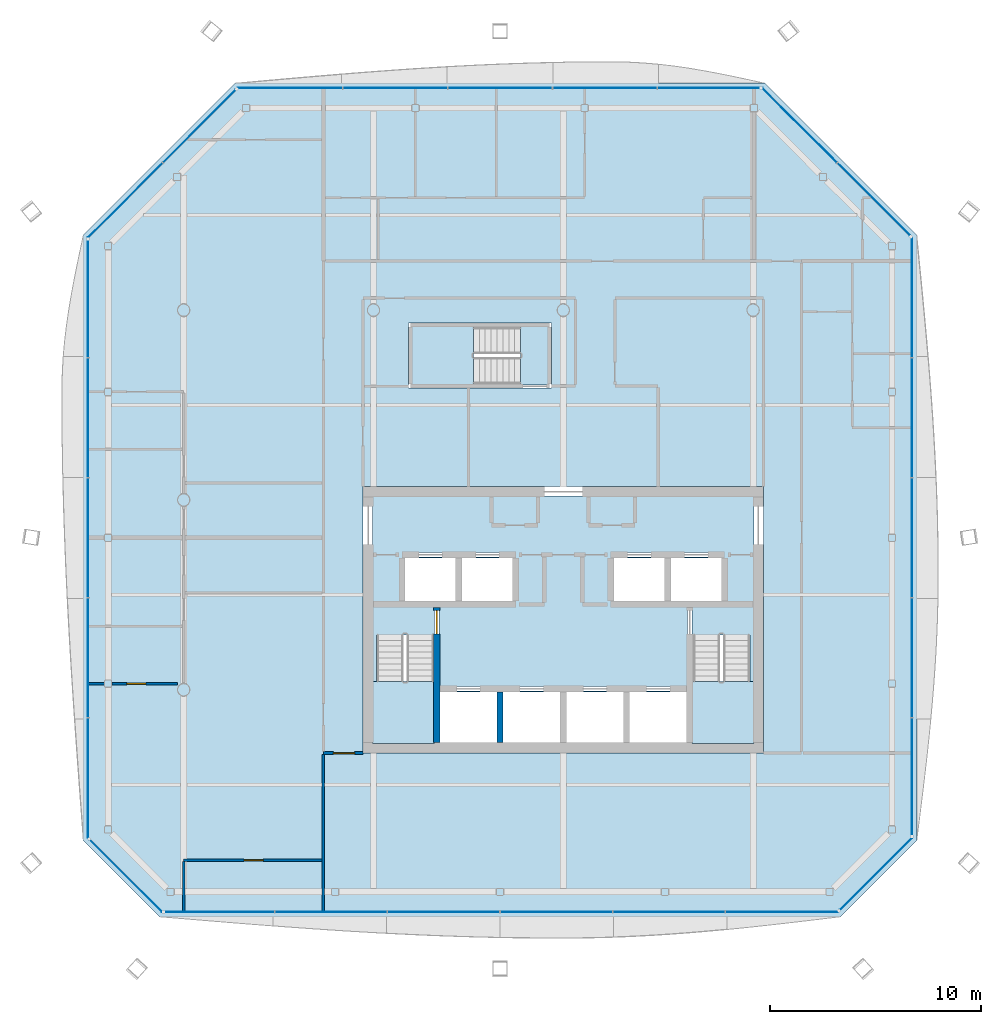
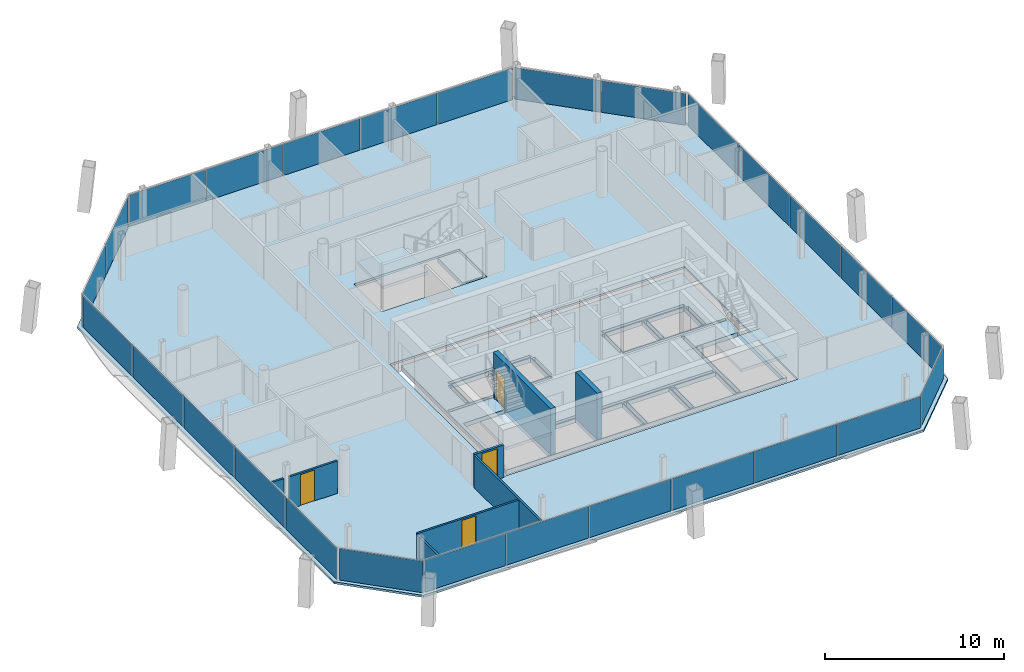
# One storey, part 11 of 19: 27 plates, 8 walls, 6 slabs, 4 doors, 4 openings, 11 elements without a shape of their own.
"""IFC4 building model written with IfcOpenShell, lengths in metres."""

import ifcopenshell
import ifcopenshell.guid

model = None  # the IFC model being written
_history = None  # IfcOwnerHistory: only IFC2X3 demands one
_inside = {}  # id of a spatial element -> (the spatial element, [elements in it])
_under = {}  # id of a project, library or spatial element -> (it, [spatial elements below it])
_declared = {}  # id of a project -> (the project, [libraries it declares])
_typed = {}  # id of a type object -> (the type object, [elements of that type])
_made_of = {}  # id of a material, layer set ... -> (it, [elements and type objects made of it])


def new_model(schema):
    """Start an empty IFC model of exactly this schema.

    Asked for "IFC4X3", IfcOpenShell would pick the latest addendum, in which some entities
    have other attributes; the version numbers below select the first issue.
    IFC2X3 requires an IfcOwnerHistory on every rooted entity: one is made here for all.
    """
    global model, _history
    if schema == "IFC4X3":
        model = ifcopenshell.file(schema_version=(4, 3, 0, 0))
    else:
        model = ifcopenshell.file(schema=schema)
    _inside.clear()
    _under.clear()
    _declared.clear()
    _typed.clear()
    _made_of.clear()
    _history = None
    if model.schema == "IFC2X3":
        org = make("IfcOrganization", Name="unknown")
        user = make(
            "IfcPersonAndOrganization",
            ThePerson=make("IfcPerson", FamilyName="unknown"),
            TheOrganization=org,
        )
        app = make(
            "IfcApplication",
            ApplicationDeveloper=org,
            Version="unknown",
            ApplicationFullName="unknown",
            ApplicationIdentifier="unknown",
        )
        _history = make(
            "IfcOwnerHistory",
            OwningUser=user,
            OwningApplication=app,
            ChangeAction="ADDED",
            CreationDate=0,
        )
    return model


def make(cls, **values):
    """One entity of the class cls with the attributes given. An attribute that is None is left unset."""
    return model.create_entity(
        cls, **{name: value for name, value in values.items() if value is not None}
    )


def rooted(cls, **values):
    """An entity with a GlobalId (a new one), such as an element, a storey or a relation."""
    return make(cls, GlobalId=ifcopenshell.guid.new(), OwnerHistory=_history, **values)


def si_unit(unit_type, name, prefix=None):
    """IfcSIUnit, for example si_unit("LENGTHUNIT", "METRE", prefix="MILLI")."""
    return make("IfcSIUnit", UnitType=unit_type, Prefix=prefix, Name=name)


def assignment(units):
    """IfcUnitAssignment: the units of a project."""
    return None if units is None else make("IfcUnitAssignment", Units=units)


def point(xyz):
    """IfcCartesianPoint."""
    return None if xyz is None else make("IfcCartesianPoint", Coordinates=xyz)


def direction(xyz):
    """IfcDirection."""
    return None if xyz is None else make("IfcDirection", DirectionRatios=xyz)


def frame(location, z_axis=None, x_axis=None):
    """IfcAxis2Placement3D, a coordinate frame: its origin and axes. An axis left out is left unset."""
    return make(
        "IfcAxis2Placement3D",
        Location=point(location),
        Axis=direction(z_axis),
        RefDirection=direction(x_axis),
    )


def frame_2d(location, x_axis=None):
    """IfcAxis2Placement2D, a coordinate frame in the plane: its origin and x axis."""
    return make(
        "IfcAxis2Placement2D", Location=point(location), RefDirection=direction(x_axis)
    )


def origin():
    """The frame at (0, 0, 0) with its axes left unset."""
    return frame((0.0, 0.0, 0.0))


def origin_2d():
    """The frame at (0, 0) in the plane with its x axis left unset."""
    return frame_2d((0.0, 0.0))


def place(relative_to, where):
    """IfcLocalPlacement: puts the frame where relative to a parent placement (None: the world)."""
    return make(
        "IfcLocalPlacement", PlacementRelTo=relative_to, RelativePlacement=where
    )


def context(
    kind, dimensions, precision=None, world=None, true_north=None, identifier=None
):
    """IfcGeometricRepresentationContext, for example the 3D "Model" context."""
    return make(
        "IfcGeometricRepresentationContext",
        ContextIdentifier=identifier,
        ContextType=kind,
        CoordinateSpaceDimension=dimensions,
        Precision=precision,
        WorldCoordinateSystem=world,
        TrueNorth=true_north,
    )


def subcontext(parent, identifier, kind, view, scale=None):
    """IfcGeometricRepresentationSubContext, for example "Body" below "Model"."""
    return make(
        "IfcGeometricRepresentationSubContext",
        ContextIdentifier=identifier,
        ContextType=kind,
        ParentContext=parent,
        TargetScale=scale,
        TargetView=view,
    )


def project(units=None, contexts=None):
    """IfcProject with its units and contexts."""
    return rooted(
        "IfcProject",
        Name="project",
        RepresentationContexts=contexts,
        UnitsInContext=assignment(units),
    )


def spatial(cls, under=None, at=None, **own):
    """A site, building, storey or space (cls), placed at a placement, below another one or the project."""
    s = rooted(cls, ObjectPlacement=at, **own)
    if under is not None:
        _under.setdefault(under.id(), (under, []))[1].append(s)
    return s


def polyline(points):
    """IfcPolyline through the points."""
    return make("IfcPolyline", Points=[point(p) for p in points])


def profile(cls, at=None, kind="AREA", **sizes):
    """A parametric profile (cls). Its sizes go by their IFC names, for example OverallWidth=200.0."""
    return make(cls, ProfileType=kind, Position=at, **sizes)


def rectangle(**sizes):
    """IfcRectangleProfileDef."""
    return profile("IfcRectangleProfileDef", **sizes)


def outline(outer, holes=None, kind="AREA"):
    """IfcArbitraryClosedProfileDef: a profile drawn as a closed curve; with holes, ...WithVoids."""
    if holes is None:
        return make("IfcArbitraryClosedProfileDef", ProfileType=kind, OuterCurve=outer)
    return make(
        "IfcArbitraryProfileDefWithVoids",
        ProfileType=kind,
        OuterCurve=outer,
        InnerCurves=holes,
    )


def extrude(swept, where, along, depth):
    """IfcExtrudedAreaSolid: the profile swept, set in the frame where, extruded along a direction by depth."""
    return make(
        "IfcExtrudedAreaSolid",
        SweptArea=swept,
        Position=where,
        ExtrudedDirection=direction(along),
        Depth=depth,
    )


def shape(context_of_items, identifier, shape_type, items):
    """IfcShapeRepresentation: the items that make up one representation, for example the "Body"."""
    return make(
        "IfcShapeRepresentation",
        ContextOfItems=context_of_items,
        RepresentationIdentifier=identifier,
        RepresentationType=shape_type,
        Items=items,
    )


def material(Name=None, Category=None):
    """IfcMaterial."""
    return make("IfcMaterial", Name=Name, Category=Category)


def layer(
    of_material, thickness, ventilated=None, Name=None, Category=None, Priority=None
):
    """IfcMaterialLayer: one layer of a wall or slab, of a material (None: an air gap)."""
    return make(
        "IfcMaterialLayer",
        Material=of_material,
        LayerThickness=thickness,
        IsVentilated=ventilated,
        Name=Name,
        Category=Category,
        Priority=Priority,
    )


def layer_set(layers, Name=None):
    """IfcMaterialLayerSet."""
    return make("IfcMaterialLayerSet", MaterialLayers=layers, LayerSetName=Name)


def made_of(thing, what):
    """Note that an element or type object is made of a material, layer set ...; save() writes the relation."""
    if what is not None:
        _made_of.setdefault(what.id(), (what, []))[1].append(thing)
    return thing


def type_object(cls, material=None, **own):
    """A type object (cls), such as IfcWallType, which elements share."""
    return made_of(rooted(cls, **own), material)


def element(
    cls,
    number,
    at=None,
    inside=None,
    cuts=None,
    type_object=None,
    material=None,
    context=None,
    identifier="Body",
    shape_type=None,
    held_by="IfcProductDefinitionShape",
    body=None,
    shapes=None,
    **own,
):
    """One element of the class cls, such as IfcWall. Its Tag is "e" and its number.

    at: its placement. inside: the storey or other place that contains it. cuts: it is an
    opening in that element (IfcRelVoidsElement). A single representation is given by context,
    identifier, shape_type and body (its items); several are given by shapes. held_by: the class
    of the entity that holds the representations. save() writes the other relations.
    """
    e = rooted(cls, Tag="e%d" % number, ObjectPlacement=at, **own)
    if body is not None:
        shapes = [shape(context, identifier, shape_type, body)]
    if shapes is not None:
        e.Representation = make(held_by, Representations=shapes)
    if inside is not None:
        _inside.setdefault(inside.id(), (inside, []))[1].append(e)
    if cuts is not None:
        rooted(
            "IfcRelVoidsElement", RelatingBuildingElement=cuts, RelatedOpeningElement=e
        )
    if type_object is not None:
        _typed.setdefault(type_object.id(), (type_object, []))[1].append(e)
    return made_of(e, material)


def fill(opening, filler):
    """IfcRelFillsElement: the door or window that sits in an opening."""
    return rooted(
        "IfcRelFillsElement",
        RelatingOpeningElement=opening,
        RelatedBuildingElement=filler,
    )


def aggregate(whole, parts):
    """IfcRelAggregates: a whole, such as a stair, and the parts it consists of."""
    return rooted("IfcRelAggregates", RelatingObject=whole, RelatedObjects=parts)


def save(model, path):
    """Write the relations noted so far, then the file.

    IfcRelAggregates (storeys below a building ...), IfcRelContainedInSpatialStructure (elements
    in a storey), IfcRelDefinesByType, IfcRelAssociatesMaterial and IfcRelDeclares: one each for
    every whole, place, type object, material and project.
    """
    for whole, parts in _under.values():
        aggregate(whole, parts)
    for where, things in _inside.values():
        rooted(
            "IfcRelContainedInSpatialStructure",
            RelatedElements=things,
            RelatingStructure=where,
        )
    for kind, things in _typed.values():
        rooted("IfcRelDefinesByType", RelatedObjects=things, RelatingType=kind)
    for what, things in _made_of.values():
        rooted("IfcRelAssociatesMaterial", RelatedObjects=things, RelatingMaterial=what)
    for by, libraries in _declared.values():
        rooted("IfcRelDeclares", RelatingContext=by, RelatedDefinitions=libraries)
    model.write(path)


model = new_model("IFC4")

# Units and contexts
model_context = context("Model", 3, precision=1e-05, world=origin(), true_north=direction((0.0, 1.0)))
body_context = subcontext(model_context, "Body", "Model", "MODEL_VIEW")
ifc_project = project(units=[si_unit("LENGTHUNIT", "METRE"), si_unit("AREAUNIT", "SQUARE_METRE"), si_unit("VOLUMEUNIT", "CUBIC_METRE"), si_unit("PLANEANGLEUNIT", "RADIAN"), si_unit("MASSUNIT", "GRAM", prefix="KILO")], contexts=[model_context])

# Site, building, storey
site_placement = place(None, origin())
site = spatial("IfcSite", under=ifc_project, at=site_placement, CompositionType="ELEMENT")
building_placement = place(site_placement, origin())
building = spatial("IfcBuilding", under=site, at=building_placement, Name="Tskaro Facet Tower", CompositionType="ELEMENT")
storey_placement = place(building_placement, frame((0.0, 0.0, 206.85009765625)))
storey = spatial("IfcBuildingStorey", under=building, at=storey_placement, Name="L53", CompositionType="ELEMENT", Elevation=206.85009765625)

# Slab
ifc_material_1 = material(Name="Concrete C30/37", Category="concrete")
ifc_layer_1 = layer(ifc_material_1, 0.139892578125, Name="Concrete C30/37")
ifc_layer_set_1 = layer_set([ifc_layer_1], Name="Concrete C30/37")
slab_type_1 = type_object("IfcSlabType", Name="Composite deck floor slab", PredefinedType="FLOOR", material=ifc_layer_set_1)
slab_1_placement = place(storey_placement, frame((0.0, 0.0, -0.14013671875)))
element("IfcSlab", 1, at=slab_1_placement, inside=storey, type_object=slab_type_1, Name="Floor slab FS3 L53", PredefinedType="FLOOR", context=body_context, shape_type="SweptSolid", body=[
    extrude(outline(polyline([(-19.1298828125, -19.782958984375), (13.1298828125, -19.782958984375), (16.782958984375, -16.1298828125), (16.782958984375, 12.54296875), (9.54296875, 19.782958984375), (-15.54296875, 19.782958984375), (-22.782958984375, 12.54296875), (-22.782958984375, -16.1298828125), (-19.1298828125, -19.782958984375)]), holes=[polyline([(-9.5, -12.0), (9.5, -12.0), (9.5, 0.64990234375), (-9.5, 0.64990234375), (-9.5, -12.0)]), polyline([(-7.35009765625, 5.300048828125), (-0.550048828125, 5.300048828125), (-0.550048828125, 8.39990234375), (-7.35009765625, 8.39990234375), (-7.35009765625, 5.300048828125)])]), origin(), (0.0, 0.0, 1.0), 0.14013671875),
])

# Curtain wall, plates
ifc_material_2 = material(Name="Bronze anodised aluminium 6063-T6", Category="aluminium")
curtain_wall_type = type_object("IfcCurtainWallType", Name="Bronze residence curtain wall (FW3)", PredefinedType="NOTDEFINED", material=ifc_material_2)
curtain_wall_1_placement = place(storey_placement, origin())
curtain_wall_1 = element("IfcCurtainWall", 2, at=curtain_wall_1_placement, inside=storey, type_object=curtain_wall_type, Name="FW3 south facet L53", PredefinedType="NOTDEFINED")
ifc_material_3 = material(Name="Bronze low-iron glass", Category="glass")
ifc_layer_2 = layer(ifc_material_3, 0.028076171875, Name="Bronze low-iron glass")
ifc_layer_set_2 = layer_set([ifc_layer_2], Name="Bronze low-iron glass")
plate_type = type_object("IfcPlateType", Name="FW3 bronze-tinted unit glazing 28", PredefinedType="CURTAIN_PANEL", material=ifc_layer_set_2)
plate_1_placement = place(storey_placement, frame((-16.297607421875, -19.532958984375, 0.0), z_axis=(0.0, 0.0, 1.0), x_axis=(1.0, 0.0, 0.0)))
plate_1 = element("IfcPlate", 3, at=plate_1_placement, type_object=plate_type, Name="FW3 south glazing 1.1", PredefinedType="CURTAIN_PANEL", context=body_context, shape_type="SweptSolid", body=[
    extrude(rectangle(XDim=5.177001953125, YDim=0.028076171875, at=origin_2d()), origin(), (0.0, 0.0, 1.0), 2.14990234375),
])
plate_2_placement = place(storey_placement, frame((-11.012939453125, -19.532958984375, 0.0), z_axis=(0.0, 0.0, 1.0), x_axis=(1.0, 0.0, 0.0)))
plate_2 = element("IfcPlate", 4, at=plate_2_placement, type_object=plate_type, Name="FW3 south glazing 2.1", PredefinedType="CURTAIN_PANEL", context=body_context, shape_type="SweptSolid", body=[
    extrude(rectangle(XDim=5.2919921875, YDim=0.028076171875, at=origin_2d()), origin(), (0.0, 0.0, 1.0), 2.14990234375),
])
plate_3_placement = place(storey_placement, frame((-5.6708984375, -19.532958984375, 0.0), z_axis=(0.0, 0.0, 1.0), x_axis=(1.0, 0.0, 0.0)))
plate_3 = element("IfcPlate", 5, at=plate_3_placement, type_object=plate_type, Name="FW3 south glazing 3.1", PredefinedType="CURTAIN_PANEL", context=body_context, shape_type="SweptSolid", body=[
    extrude(rectangle(XDim=5.2919921875, YDim=0.028076171875, at=origin_2d()), origin(), (0.0, 0.0, 1.0), 2.14990234375),
])
plate_4_placement = place(storey_placement, frame((-0.3291015625, -19.532958984375, 0.0), z_axis=(0.0, 0.0, 1.0), x_axis=(1.0, 0.0, 0.0)))
plate_4 = element("IfcPlate", 6, at=plate_4_placement, type_object=plate_type, Name="FW3 south glazing 4.1", PredefinedType="CURTAIN_PANEL", context=body_context, shape_type="SweptSolid", body=[
    extrude(rectangle(XDim=5.2919921875, YDim=0.028076171875, at=origin_2d()), origin(), (0.0, 0.0, 1.0), 2.14990234375),
])
plate_5_placement = place(storey_placement, frame((5.012939453125, -19.532958984375, 0.0), z_axis=(0.0, 0.0, 1.0), x_axis=(1.0, 0.0, 0.0)))
plate_5 = element("IfcPlate", 7, at=plate_5_placement, type_object=plate_type, Name="FW3 south glazing 5.1", PredefinedType="CURTAIN_PANEL", context=body_context, shape_type="SweptSolid", body=[
    extrude(rectangle(XDim=5.2919921875, YDim=0.028076171875, at=origin_2d()), origin(), (0.0, 0.0, 1.0), 2.14990234375),
])
plate_6_placement = place(storey_placement, frame((10.367431640625, -19.532958984375, 0.0), z_axis=(0.0, 0.0, 1.0), x_axis=(1.0, 0.0, 0.0)))
plate_6 = element("IfcPlate", 8, at=plate_6_placement, type_object=plate_type, Name="FW3 south glazing 6.1", PredefinedType="CURTAIN_PANEL", context=body_context, shape_type="SweptSolid", body=[
    extrude(rectangle(XDim=5.31689453125, YDim=0.028076171875, at=origin_2d()), origin(), (0.0, 0.0, 1.0), 2.14990234375),
])
aggregate(curtain_wall_1, [plate_1, plate_2, plate_3, plate_4, plate_5, plate_6])

# Curtain wall, plate
curtain_wall_2_placement = place(storey_placement, origin())
curtain_wall_2 = element("IfcCurtainWall", 9, at=curtain_wall_2_placement, inside=storey, type_object=curtain_wall_type, Name="FW3 south-east facet L53", PredefinedType="NOTDEFINED")
plate_7_placement = place(storey_placement, frame((14.8291015625, -17.72998046875, 0.0), z_axis=(0.0, 0.0, 1.0), x_axis=(0.707106781187, 0.707106781187, 0.0)))
plate_7 = element("IfcPlate", 10, at=plate_7_placement, type_object=plate_type, Name="FW3 south-east glazing 1.1", PredefinedType="CURTAIN_PANEL", context=body_context, shape_type="SweptSolid", body=[
    extrude(rectangle(XDim=4.819580078125, YDim=0.028076171875, at=origin_2d()), origin(), (0.0, 0.0, 1.0), 2.14990234375),
])
aggregate(curtain_wall_2, [plate_7])

# Curtain wall, plates
curtain_wall_3_placement = place(storey_placement, origin())
curtain_wall_3 = element("IfcCurtainWall", 11, at=curtain_wall_3_placement, inside=storey, type_object=curtain_wall_type, Name="FW3 east facet L53", PredefinedType="NOTDEFINED")
plate_8_placement = place(storey_placement, frame((16.532958984375, -13.1220703125, 0.0), z_axis=(0.0, 0.0, 1.0), x_axis=(0.0, 1.0, 0.0)))
plate_8 = element("IfcPlate", 12, at=plate_8_placement, type_object=plate_type, Name="FW3 east glazing 1.1", PredefinedType="CURTAIN_PANEL", context=body_context, shape_type="SweptSolid", body=[
    extrude(rectangle(XDim=5.528076171875, YDim=0.028076171875, at=origin_2d()), origin(), (0.0, 0.0, 1.0), 2.14990234375),
])
plate_9_placement = place(storey_placement, frame((16.532958984375, -7.486572265625, 0.0), z_axis=(0.0, 0.0, 1.0), x_axis=(0.0, 1.0, 0.0)))
plate_9 = element("IfcPlate", 13, at=plate_9_placement, type_object=plate_type, Name="FW3 east glazing 2.1", PredefinedType="CURTAIN_PANEL", context=body_context, shape_type="SweptSolid", body=[
    extrude(rectangle(XDim=5.64306640625, YDim=0.028076171875, at=origin_2d()), origin(), (0.0, 0.0, 1.0), 2.14990234375),
])
plate_10_placement = place(storey_placement, frame((16.532958984375, -1.79345703125, 0.0), z_axis=(0.0, 0.0, 1.0), x_axis=(0.0, 1.0, 0.0)))
plate_10 = element("IfcPlate", 14, at=plate_10_placement, type_object=plate_type, Name="FW3 east glazing 3.1", PredefinedType="CURTAIN_PANEL", context=body_context, shape_type="SweptSolid", body=[
    extrude(rectangle(XDim=5.64306640625, YDim=0.028076171875, at=origin_2d()), origin(), (0.0, 0.0, 1.0), 2.14990234375),
])
plate_11_placement = place(storey_placement, frame((16.532958984375, 3.8994140625, 0.0), z_axis=(0.0, 0.0, 1.0), x_axis=(0.0, 1.0, 0.0)))
plate_11 = element("IfcPlate", 15, at=plate_11_placement, type_object=plate_type, Name="FW3 east glazing 4.1", PredefinedType="CURTAIN_PANEL", context=body_context, shape_type="SweptSolid", body=[
    extrude(rectangle(XDim=5.64306640625, YDim=0.028076171875, at=origin_2d()), origin(), (0.0, 0.0, 1.0), 2.14990234375),
])
plate_12_placement = place(storey_placement, frame((16.532958984375, 9.60498046875, 0.0), z_axis=(0.0, 0.0, 1.0), x_axis=(0.0, 1.0, 0.0)))
plate_12 = element("IfcPlate", 16, at=plate_12_placement, type_object=plate_type, Name="FW3 east glazing 5.1", PredefinedType="CURTAIN_PANEL", context=body_context, shape_type="SweptSolid", body=[
    extrude(rectangle(XDim=5.66796875, YDim=0.028076171875, at=origin_2d()), origin(), (0.0, 0.0, 1.0), 2.14990234375),
])
aggregate(curtain_wall_3, [plate_8, plate_9, plate_10, plate_11, plate_12])

curtain_wall_4_placement = place(storey_placement, origin())
curtain_wall_4 = element("IfcCurtainWall", 17, at=curtain_wall_4_placement, inside=storey, type_object=curtain_wall_type, Name="FW3 north-east facet L53", PredefinedType="NOTDEFINED")
plate_13_placement = place(storey_placement, frame((14.71875, 14.253173828125, 0.0), z_axis=(0.0, 0.0, 1.0), x_axis=(-0.707106781187, 0.707106781187, 0.0)))
plate_13 = element("IfcPlate", 18, at=plate_13_placement, type_object=plate_type, Name="FW3 north-east glazing 1.1", PredefinedType="CURTAIN_PANEL", context=body_context, shape_type="SweptSolid", body=[
    extrude(rectangle(XDim=4.851318359375, YDim=0.028076171875, at=origin_2d()), origin(), (0.0, 0.0, 1.0), 2.14990234375),
])
plate_14_placement = place(storey_placement, frame((11.20361328125, 17.768310546875, 0.0), z_axis=(0.0, 0.0, 1.0), x_axis=(-0.707106781187, 0.707106781187, 0.0)))
plate_14 = element("IfcPlate", 19, at=plate_14_placement, type_object=plate_type, Name="FW3 north-east glazing 2.1", PredefinedType="CURTAIN_PANEL", context=body_context, shape_type="SweptSolid", body=[
    extrude(rectangle(XDim=4.9912109375, YDim=0.028076171875, at=origin_2d()), origin(), (0.0, 0.0, 1.0), 2.14990234375),
])
aggregate(curtain_wall_4, [plate_13, plate_14])

curtain_wall_5_placement = place(storey_placement, origin())
curtain_wall_5 = element("IfcCurtainWall", 20, at=curtain_wall_5_placement, inside=storey, type_object=curtain_wall_type, Name="FW3 north facet L53", PredefinedType="NOTDEFINED")
plate_15_placement = place(storey_placement, frame((6.893798828125, 19.532958984375, 0.0), z_axis=(0.0, 0.0, 1.0), x_axis=(-1.0, 0.0, 0.0)))
plate_15 = element("IfcPlate", 21, at=plate_15_placement, type_object=plate_type, Name="FW3 north glazing 1.1", PredefinedType="CURTAIN_PANEL", context=body_context, shape_type="SweptSolid", body=[
    extrude(rectangle(XDim=4.810546875, YDim=0.028076171875, at=origin_2d()), origin(), (0.0, 0.0, 1.0), 2.14990234375),
])
plate_16_placement = place(storey_placement, frame((1.9755859375, 19.532958984375, 0.0), z_axis=(0.0, 0.0, 1.0), x_axis=(-1.0, 0.0, 0.0)))
plate_16 = element("IfcPlate", 22, at=plate_16_placement, type_object=plate_type, Name="FW3 north glazing 2.1", PredefinedType="CURTAIN_PANEL", context=body_context, shape_type="SweptSolid", body=[
    extrude(rectangle(XDim=4.925537109375, YDim=0.028076171875, at=origin_2d()), origin(), (0.0, 0.0, 1.0), 2.14990234375),
])
plate_17_placement = place(storey_placement, frame((-3.0, 19.532958984375, 0.0), z_axis=(0.0, 0.0, 1.0), x_axis=(-1.0, 0.0, 0.0)))
plate_17 = element("IfcPlate", 23, at=plate_17_placement, type_object=plate_type, Name="FW3 north glazing 3.1", PredefinedType="CURTAIN_PANEL", context=body_context, shape_type="SweptSolid", body=[
    extrude(rectangle(XDim=4.925537109375, YDim=0.028076171875, at=origin_2d()), origin(), (0.0, 0.0, 1.0), 2.14990234375),
])
plate_18_placement = place(storey_placement, frame((-7.9755859375, 19.532958984375, 0.0), z_axis=(0.0, 0.0, 1.0), x_axis=(-1.0, 0.0, 0.0)))
plate_18 = element("IfcPlate", 24, at=plate_18_placement, type_object=plate_type, Name="FW3 north glazing 4.1", PredefinedType="CURTAIN_PANEL", context=body_context, shape_type="SweptSolid", body=[
    extrude(rectangle(XDim=4.925537109375, YDim=0.028076171875, at=origin_2d()), origin(), (0.0, 0.0, 1.0), 2.14990234375),
])
plate_19_placement = place(storey_placement, frame((-12.963623046875, 19.532958984375, 0.0), z_axis=(0.0, 0.0, 1.0), x_axis=(-1.0, 0.0, 0.0)))
plate_19 = element("IfcPlate", 25, at=plate_19_placement, type_object=plate_type, Name="FW3 north glazing 5.1", PredefinedType="CURTAIN_PANEL", context=body_context, shape_type="SweptSolid", body=[
    extrude(rectangle(XDim=4.95068359375, YDim=0.028076171875, at=origin_2d()), origin(), (0.0, 0.0, 1.0), 2.14990234375),
])
aggregate(curtain_wall_5, [plate_15, plate_16, plate_17, plate_18, plate_19])

curtain_wall_6_placement = place(storey_placement, origin())
curtain_wall_6 = element("IfcCurtainWall", 26, at=curtain_wall_6_placement, inside=storey, type_object=curtain_wall_type, Name="FW3 north-west facet L53", PredefinedType="NOTDEFINED")
plate_20_placement = place(storey_placement, frame((-17.253173828125, 17.71875, 0.0), z_axis=(0.0, 0.0, 1.0), x_axis=(-0.707106781187, -0.707106781187, 0.0)))
plate_20 = element("IfcPlate", 27, at=plate_20_placement, type_object=plate_type, Name="FW3 north-west glazing 1.1", PredefinedType="CURTAIN_PANEL", context=body_context, shape_type="SweptSolid", body=[
    extrude(rectangle(XDim=4.851318359375, YDim=0.028076171875, at=origin_2d()), origin(), (0.0, 0.0, 1.0), 2.14990234375),
])
plate_21_placement = place(storey_placement, frame((-20.768310546875, 14.20361328125, 0.0), z_axis=(0.0, 0.0, 1.0), x_axis=(-0.707106781187, -0.707106781187, 0.0)))
plate_21 = element("IfcPlate", 28, at=plate_21_placement, type_object=plate_type, Name="FW3 north-west glazing 2.1", PredefinedType="CURTAIN_PANEL", context=body_context, shape_type="SweptSolid", body=[
    extrude(rectangle(XDim=4.9912109375, YDim=0.028076171875, at=origin_2d()), origin(), (0.0, 0.0, 1.0), 2.14990234375),
])
aggregate(curtain_wall_6, [plate_20, plate_21])

curtain_wall_7_placement = place(storey_placement, origin())
curtain_wall_7 = element("IfcCurtainWall", 29, at=curtain_wall_7_placement, inside=storey, type_object=curtain_wall_type, Name="FW3 west facet L53", PredefinedType="NOTDEFINED")
plate_22_placement = place(storey_placement, frame((-22.532958984375, 9.534912109375, 0.0), z_axis=(0.0, 0.0, 1.0), x_axis=(0.0, -1.0, 0.0)))
plate_22 = element("IfcPlate", 30, at=plate_22_placement, type_object=plate_type, Name="FW3 west glazing 1.1", PredefinedType="CURTAIN_PANEL", context=body_context, shape_type="SweptSolid", body=[
    extrude(rectangle(XDim=5.528076171875, YDim=0.028076171875, at=origin_2d()), origin(), (0.0, 0.0, 1.0), 2.14990234375),
])
plate_23_placement = place(storey_placement, frame((-22.532958984375, 3.8994140625, 0.0), z_axis=(0.0, 0.0, 1.0), x_axis=(0.0, -1.0, 0.0)))
plate_23 = element("IfcPlate", 31, at=plate_23_placement, type_object=plate_type, Name="FW3 west glazing 2.1", PredefinedType="CURTAIN_PANEL", context=body_context, shape_type="SweptSolid", body=[
    extrude(rectangle(XDim=5.64306640625, YDim=0.028076171875, at=origin_2d()), origin(), (0.0, 0.0, 1.0), 2.14990234375),
])
plate_24_placement = place(storey_placement, frame((-22.532958984375, -1.79345703125, 0.0), z_axis=(0.0, 0.0, 1.0), x_axis=(0.0, -1.0, 0.0)))
plate_24 = element("IfcPlate", 32, at=plate_24_placement, type_object=plate_type, Name="FW3 west glazing 3.1", PredefinedType="CURTAIN_PANEL", context=body_context, shape_type="SweptSolid", body=[
    extrude(rectangle(XDim=5.64306640625, YDim=0.028076171875, at=origin_2d()), origin(), (0.0, 0.0, 1.0), 2.14990234375),
])
plate_25_placement = place(storey_placement, frame((-22.532958984375, -7.486572265625, 0.0), z_axis=(0.0, 0.0, 1.0), x_axis=(0.0, -1.0, 0.0)))
plate_25 = element("IfcPlate", 33, at=plate_25_placement, type_object=plate_type, Name="FW3 west glazing 4.1", PredefinedType="CURTAIN_PANEL", context=body_context, shape_type="SweptSolid", body=[
    extrude(rectangle(XDim=5.64306640625, YDim=0.028076171875, at=origin_2d()), origin(), (0.0, 0.0, 1.0), 2.14990234375),
])
plate_26_placement = place(storey_placement, frame((-22.532958984375, -13.19189453125, 0.0), z_axis=(0.0, 0.0, 1.0), x_axis=(0.0, -1.0, 0.0)))
plate_26 = element("IfcPlate", 34, at=plate_26_placement, type_object=plate_type, Name="FW3 west glazing 5.1", PredefinedType="CURTAIN_PANEL", context=body_context, shape_type="SweptSolid", body=[
    extrude(rectangle(XDim=5.66796875, YDim=0.028076171875, at=origin_2d()), origin(), (0.0, 0.0, 1.0), 2.14990234375),
])
aggregate(curtain_wall_7, [plate_22, plate_23, plate_24, plate_25, plate_26])

# Curtain wall, plate
curtain_wall_8_placement = place(storey_placement, origin())
curtain_wall_8 = element("IfcCurtainWall", 35, at=curtain_wall_8_placement, inside=storey, type_object=curtain_wall_type, Name="FW3 south-west facet L53", PredefinedType="NOTDEFINED")
plate_27_placement = place(storey_placement, frame((-20.72998046875, -17.8291015625, 0.0), z_axis=(0.0, 0.0, 1.0), x_axis=(0.707106781187, -0.707106781187, 0.0)))
plate_27 = element("IfcPlate", 36, at=plate_27_placement, type_object=plate_type, Name="FW3 south-west glazing 1.1", PredefinedType="CURTAIN_PANEL", context=body_context, shape_type="SweptSolid", body=[
    extrude(rectangle(XDim=4.819580078125, YDim=0.028076171875, at=origin_2d()), origin(), (0.0, 0.0, 1.0), 2.14990234375),
])
aggregate(curtain_wall_8, [plate_27])

# Stair, slab
ifc_material_4 = material(Name="Concrete C40/50", Category="concrete")
stair_type = type_object("IfcStairType", Name="ST-TWR", PredefinedType="HALF_TURN_STAIR", material=ifc_material_4)
stair_1_placement = place(storey_placement, origin())
stair_1 = element("IfcStair", 37, at=stair_1_placement, inside=storey, type_object=stair_type, Name="L53 Exit stair 1", PredefinedType="HALF_TURN_STAIR")
ifc_layer_3 = layer(ifc_material_4, 0.199951171875, Name="Concrete C40/50")
ifc_layer_set_3 = layer_set([ifc_layer_3], Name="Concrete C40/50")
slab_type_2 = type_object("IfcSlabType", Name="SL-LANDING", PredefinedType="LANDING", material=ifc_layer_set_3)
slab_2_placement = place(storey_placement, frame((0.0, 0.0, 1.375)))
slab_2 = element("IfcSlab", 38, at=slab_2_placement, type_object=slab_type_2, Name="ST-1 landing 1", PredefinedType="LANDING", context=body_context, shape_type="SweptSolid", body=[
    extrude(outline(polyline([(-9.050048828125, -11.550048828125), (-6.10009765625, -11.550048828125), (-6.10009765625, -8.614990234375), (-9.050048828125, -8.614990234375), (-9.050048828125, -11.550048828125)])), origin(), (0.0, 0.0, 1.0), 0.199951171875),
])
aggregate(stair_1, [slab_2])

stair_2_placement = place(storey_placement, origin())
stair_2 = element("IfcStair", 39, at=stair_2_placement, inside=storey, type_object=stair_type, Name="L53 Exit stair 2", PredefinedType="HALF_TURN_STAIR")
slab_3_placement = place(storey_placement, frame((0.0, 0.0, 1.375)))
slab_3 = element("IfcSlab", 40, at=slab_3_placement, type_object=slab_type_2, Name="ST-2 landing 1", PredefinedType="LANDING", context=body_context, shape_type="SweptSolid", body=[
    extrude(outline(polyline([(6.10009765625, -11.550048828125), (9.050048828125, -11.550048828125), (9.050048828125, -8.614990234375), (6.10009765625, -8.614990234375), (6.10009765625, -11.550048828125)])), origin(), (0.0, 0.0, 1.0), 0.199951171875),
])
aggregate(stair_2, [slab_3])

stair_3_placement = place(storey_placement, origin())
stair_3 = element("IfcStair", 41, at=stair_3_placement, inside=storey, type_object=stair_type, Name="L53 Exit stair 3", PredefinedType="HALF_TURN_STAIR")
slab_4_placement = place(storey_placement, frame((0.0, 0.0, 1.375)))
slab_4 = element("IfcSlab", 42, at=slab_4_placement, type_object=slab_type_2, Name="ST-3 landing 1", PredefinedType="LANDING", context=body_context, shape_type="SweptSolid", body=[
    extrude(outline(polyline([(-7.199951171875, 5.449951171875), (-4.264892578125, 5.449951171875), (-4.264892578125, 8.25), (-7.199951171875, 8.25), (-7.199951171875, 5.449951171875)])), origin(), (0.0, 0.0, 1.0), 0.199951171875),
])
aggregate(stair_3, [slab_4])

# Slabs
ifc_material_5 = material(Name="Concrete C60/75", Category="concrete")
ifc_layer_4 = layer(ifc_material_5, 0.300048828125, Name="Concrete C60/75")
ifc_layer_set_4 = layer_set([ifc_layer_4], Name="Concrete C60/75")
slab_type_3 = type_object("IfcSlabType", Name="SLAB-CORE", PredefinedType="FLOOR", material=ifc_layer_set_4)
slab_5_placement = place(storey_placement, frame((0.0, 0.0, -0.300048828125)))
element("IfcSlab", 43, at=slab_5_placement, inside=storey, type_object=slab_type_3, Name="Core floor slab 1", PredefinedType="FLOOR", context=body_context, shape_type="SweptSolid", body=[
    extrude(outline(polyline([(-9.050048828125, 0.199951171875), (9.050048828125, 0.199951171875), (9.050048828125, 0.10009765625), (9.050048828125, -11.449951171875), (9.050048828125, -11.550048828125), (-9.050048828125, -11.550048828125), (-9.050048828125, -11.449951171875), (-9.050048828125, 0.10009765625), (-9.050048828125, 0.199951171875)]), holes=[polyline([(-5.85009765625, -9.10009765625), (-5.85009765625, -11.5), (-3.14990234375, -11.5), (-3.14990234375, -9.10009765625), (-5.85009765625, -9.10009765625)]), polyline([(-3.10009765625, -11.449951171875), (-2.89990234375, -11.449951171875), (-2.89990234375, -9.14990234375), (-3.10009765625, -9.14990234375), (-3.10009765625, -11.449951171875)]), polyline([(-2.85009765625, -9.10009765625), (-2.85009765625, -11.5), (-0.14990234375, -11.5), (-0.14990234375, -9.10009765625), (-2.85009765625, -9.10009765625)]), polyline([(-6.10009765625, -11.449951171875), (-5.89990234375, -11.449951171875), (-5.89990234375, -5.14990234375), (-6.10009765625, -5.14990234375), (-6.10009765625, -11.449951171875)]), polyline([(-8.949951171875, -5.050048828125), (-2.300048828125, -5.050048828125), (-2.300048828125, -4.85009765625), (-8.949951171875, -4.85009765625), (-8.949951171875, -5.050048828125)]), polyline([(-7.75, -4.75), (-7.550048828125, -4.75), (-7.550048828125, -2.800048828125), (-7.75, -2.800048828125), (-7.75, -4.75)]), polyline([(-7.5, -2.75), (-7.5, -4.800048828125), (-5.10009765625, -4.800048828125), (-5.10009765625, -2.75), (-7.5, -2.75)]), polyline([(-5.050048828125, -4.75), (-4.85009765625, -4.75), (-4.85009765625, -2.800048828125), (-5.050048828125, -2.800048828125), (-5.050048828125, -4.75)]), polyline([(-4.800048828125, -4.800048828125), (-2.39990234375, -4.800048828125), (-2.39990234375, -2.75), (-4.800048828125, -2.75), (-4.800048828125, -4.800048828125)]), polyline([(-2.35009765625, -4.75), (-2.14990234375, -4.75), (-2.14990234375, -2.800048828125), (-2.35009765625, -2.800048828125), (-2.35009765625, -4.75)]), polyline([(-7.60009765625, -2.699951171875), (-2.300048828125, -2.699951171875), (-2.300048828125, -2.5), (-7.60009765625, -2.5), (-7.60009765625, -2.699951171875)]), polyline([(-0.10009765625, -11.449951171875), (0.10009765625, -11.449951171875), (0.10009765625, -9.14990234375), (-0.10009765625, -9.14990234375), (-0.10009765625, -11.449951171875)]), polyline([(0.14990234375, -9.10009765625), (0.14990234375, -11.5), (2.85009765625, -11.5), (2.85009765625, -9.10009765625), (0.14990234375, -9.10009765625)]), polyline([(2.89990234375, -11.449951171875), (3.10009765625, -11.449951171875), (3.10009765625, -9.14990234375), (2.89990234375, -9.14990234375), (2.89990234375, -11.449951171875)]), polyline([(3.14990234375, -9.10009765625), (3.14990234375, -11.5), (5.85009765625, -11.5), (5.85009765625, -9.10009765625), (3.14990234375, -9.10009765625)]), polyline([(-5.800048828125, -9.050048828125), (5.800048828125, -9.050048828125), (5.800048828125, -8.85009765625), (-5.800048828125, -8.85009765625), (-5.800048828125, -9.050048828125)]), polyline([(5.89990234375, -11.449951171875), (6.10009765625, -11.449951171875), (6.10009765625, -5.14990234375), (5.89990234375, -5.14990234375), (5.89990234375, -11.449951171875)]), polyline([(2.300048828125, -5.050048828125), (8.949951171875, -5.050048828125), (8.949951171875, -4.85009765625), (2.300048828125, -4.85009765625), (2.300048828125, -5.050048828125)]), polyline([(2.14990234375, -4.75), (2.35009765625, -4.75), (2.35009765625, -2.800048828125), (2.14990234375, -2.800048828125), (2.14990234375, -4.75)]), polyline([(4.800048828125, -2.75), (2.39990234375, -2.75), (2.39990234375, -4.800048828125), (4.800048828125, -4.800048828125), (4.800048828125, -2.75)]), polyline([(4.85009765625, -4.75), (5.050048828125, -4.75), (5.050048828125, -2.800048828125), (4.85009765625, -2.800048828125), (4.85009765625, -4.75)]), polyline([(5.10009765625, -4.800048828125), (7.5, -4.800048828125), (7.5, -2.75), (5.10009765625, -2.75), (5.10009765625, -4.800048828125)]), polyline([(7.550048828125, -4.75), (7.75, -4.75), (7.75, -2.800048828125), (7.550048828125, -2.800048828125), (7.550048828125, -4.75)]), polyline([(2.300048828125, -2.699951171875), (7.60009765625, -2.699951171875), (7.60009765625, -2.5), (2.300048828125, -2.5), (2.300048828125, -2.699951171875)]), polyline([(-8.85009765625, -11.5), (-6.14990234375, -11.5), (-6.14990234375, -6.39501953125), (-8.85009765625, -6.39501953125), (-8.85009765625, -11.5)]), polyline([(6.14990234375, -6.39501953125), (6.14990234375, -11.5), (8.85009765625, -11.5), (8.85009765625, -6.39501953125), (6.14990234375, -6.39501953125)])]), origin(), (0.0, 0.0, 1.0), 0.300048828125),
])
slab_6_placement = place(storey_placement, frame((0.0, 0.0, -0.300048828125)))
element("IfcSlab", 44, at=slab_6_placement, inside=storey, type_object=slab_type_3, Name="Stair 3 floor landing 1", PredefinedType="FLOOR", context=body_context, shape_type="SweptSolid", body=[
    extrude(outline(polyline([(-2.02490234375, 5.449951171875), (-0.699951171875, 5.449951171875), (-0.699951171875, 8.25), (-2.02490234375, 8.25), (-2.02490234375, 5.449951171875)])), origin(), (0.0, 0.0, 1.0), 0.300048828125),
])

# Wall, opening, door
ifc_layer_5 = layer(ifc_material_5, 0.300048828125, Name="Concrete C60/75")
ifc_layer_set_5 = layer_set([ifc_layer_5], Name="Concrete C60/75")
wall_type_1 = type_object("IfcWallType", Name="CORE-SHAFT", PredefinedType="SHEAR", material=ifc_layer_set_5)
wall_1_placement = place(storey_placement, frame((-6.0, -11.5, 0.0), z_axis=(0.0, 0.0, 1.0), x_axis=(0.0, 1.0, 0.0)))
wall_1 = element("IfcWall", 45, at=wall_1_placement, inside=storey, type_object=wall_type_1, Name="Shaft wall W055", PredefinedType="SHEAR", context=body_context, shape_type="SweptSolid", body=[
    extrude(rectangle(XDim=6.39990234375, YDim=0.300048828125, at=frame_2d((3.199951171875, 0.0))), origin(), (0.0, 0.0, 1.0), 3.14990234375),
])
opening_1_placement = place(wall_1_placement, frame((5.14990234375, 0.0, 0.0)))
opening_1 = element("IfcOpeningElement", 46, at=opening_1_placement, cuts=wall_1, Name="Opening ST-1-D1", PredefinedType="OPENING", context=body_context, shape_type="SweptSolid", body=[
    extrude(rectangle(XDim=1.10009765625, YDim=2.10009765625, at=frame_2d((0.550048828125, 1.050048828125))), frame((0.0, 0.159912109375, 0.0), z_axis=(0.0, -1.0, 0.0), x_axis=(1.0, 0.0, 0.0)), (0.0, 0.0, 1.0), 0.320068359375),
])
ifc_material_6 = material(Name="Steel", Category="steel")
door_type_1 = type_object("IfcDoorType", Name="D-STAIR", OperationType="NOTDEFINED", PredefinedType="DOOR", material=ifc_material_6)
door_1_placement = place(opening_1_placement, origin())
door_1 = element("IfcDoor", 47, at=door_1_placement, inside=storey, type_object=door_type_1, Name="Stair door 1", OperationType="SINGLE_SWING_LEFT", OverallHeight=2.10009765625, OverallWidth=1.10009765625, PredefinedType="DOOR", context=body_context, shape_type="SweptSolid", body=[
    extrude(rectangle(XDim=1.10009765625, YDim=2.10009765625, at=frame_2d((0.550048828125, 1.050048828125))), frame((0.0, 0.02490234375, 0.0), z_axis=(0.0, -1.0, 0.0), x_axis=(1.0, 0.0, 0.0)), (0.0, 0.0, 1.0), 0.050048828125),
])
fill(opening_1, door_1)

# Wall
wall_2_placement = place(storey_placement, frame((-3.0, -11.5, 0.0), z_axis=(0.0, 0.0, 1.0), x_axis=(0.0, 1.0, 0.0)))
element("IfcWall", 48, at=wall_2_placement, inside=storey, type_object=wall_type_1, Name="Shaft wall W060", PredefinedType="SHEAR", context=body_context, shape_type="SweptSolid", body=[
    extrude(rectangle(XDim=2.39990234375, YDim=0.300048828125, at=frame_2d((1.199951171875, 0.0))), origin(), (0.0, 0.0, 1.0), 3.14990234375),
])

# Wall, opening, door
ifc_material_7 = material(Name="Gypsum board on steel studs", Category="steel")
ifc_layer_6 = layer(ifc_material_7, 0.125, Name="Gypsum board on steel studs")
ifc_layer_set_6 = layer_set([ifc_layer_6], Name="Gypsum board on steel studs")
wall_type_2 = type_object("IfcWallType", Name="PART", PredefinedType="PARTITIONING", material=ifc_layer_set_6)
wall_3_placement = place(storey_placement, frame((-11.4375, -17.0849609375, 0.0), z_axis=(0.0, 0.0, 1.0), x_axis=(-1.0, 0.0, 0.0)))
wall_3 = element("IfcWall", 49, at=wall_3_placement, inside=storey, type_object=wall_type_2, Name="Partition W001", PredefinedType="PARTITIONING", context=body_context, shape_type="SweptSolid", body=[
    extrude(rectangle(XDim=6.5625, YDim=0.125, at=frame_2d((3.28125, 0.0))), origin(), (0.0, 0.0, 1.0), 2.2099609375),
])
opening_2_placement = place(wall_3_placement, frame((2.800048828125, 0.0, 0.0)))
opening_2 = element("IfcOpeningElement", 50, at=opening_2_placement, cuts=wall_3, Name="Opening T15-D01", PredefinedType="OPENING", context=body_context, shape_type="SweptSolid", body=[
    extrude(rectangle(XDim=0.89990234375, YDim=2.10009765625, at=frame_2d((0.449951171875, 1.050048828125))), frame((0.0, 0.072509765625, 0.0), z_axis=(0.0, -1.0, 0.0), x_axis=(1.0, 0.0, 0.0)), (0.0, 0.0, 1.0), 0.14501953125),
])
ifc_material_8 = material(Name="Timber", Category="wood")
door_type_2 = type_object("IfcDoorType", Name="D-ROOM", OperationType="NOTDEFINED", PredefinedType="DOOR", material=ifc_material_8)
door_2_placement = place(opening_2_placement, origin())
door_2 = element("IfcDoor", 51, at=door_2_placement, inside=storey, type_object=door_type_2, Name="Door T15-D01", OperationType="SINGLE_SWING_RIGHT", OverallHeight=2.10009765625, OverallWidth=0.89990234375, PredefinedType="DOOR", context=body_context, shape_type="SweptSolid", body=[
    extrude(rectangle(XDim=0.89990234375, YDim=2.10009765625, at=frame_2d((0.449951171875, 1.050048828125))), frame((0.0, 0.02490234375, 0.0), z_axis=(0.0, -1.0, 0.0), x_axis=(1.0, 0.0, 0.0)), (0.0, 0.0, 1.0), 0.050048828125),
])
fill(opening_2, door_2)

# Wall
wall_4_placement = place(storey_placement, frame((-22.48291015625, -8.715087890625, 0.0), z_axis=(0.0, 0.0, 1.0), x_axis=(1.0, 0.0, 0.0)))
element("IfcWall", 52, at=wall_4_placement, inside=storey, type_object=wall_type_2, Name="Partition W006", PredefinedType="PARTITIONING", context=body_context, shape_type="SweptSolid", body=[
    extrude(rectangle(XDim=0.724853515625, YDim=0.125, at=frame_2d((0.3623046875, 0.0))), origin(), (0.0, 0.0, 1.0), 2.2099609375),
])

# Wall, opening, door
wall_5_placement = place(storey_placement, frame((-21.407958984375, -8.715087890625, 0.0), z_axis=(0.0, 0.0, 1.0), x_axis=(1.0, 0.0, 0.0)))
wall_5 = element("IfcWall", 53, at=wall_5_placement, inside=storey, type_object=wall_type_2, Name="Partition W007", PredefinedType="PARTITIONING", context=body_context, shape_type="SweptSolid", body=[
    extrude(rectangle(XDim=3.10302734375, YDim=0.125, at=frame_2d((1.551513671875, 0.0))), origin(), (0.0, 0.0, 1.0), 2.2099609375),
])
opening_3_placement = place(wall_5_placement, frame((0.716552734375, 0.0, 0.0)))
opening_3 = element("IfcOpeningElement", 54, at=opening_3_placement, cuts=wall_5, Name="Opening T15-D04", PredefinedType="OPENING", context=body_context, shape_type="SweptSolid", body=[
    extrude(rectangle(XDim=0.89990234375, YDim=2.10009765625, at=frame_2d((0.449951171875, 1.050048828125))), frame((0.0, 0.072509765625, 0.0), z_axis=(0.0, -1.0, 0.0), x_axis=(1.0, 0.0, 0.0)), (0.0, 0.0, 1.0), 0.14501953125),
])
door_3_placement = place(opening_3_placement, origin())
door_3 = element("IfcDoor", 55, at=door_3_placement, inside=storey, type_object=door_type_2, Name="Door T15-D04", OperationType="SINGLE_SWING_LEFT", OverallHeight=2.10009765625, OverallWidth=0.89990234375, PredefinedType="DOOR", context=body_context, shape_type="SweptSolid", body=[
    extrude(rectangle(XDim=0.89990234375, YDim=2.10009765625, at=frame_2d((0.449951171875, 1.050048828125))), frame((0.0, 0.02490234375, 0.0), z_axis=(0.0, -1.0, 0.0), x_axis=(1.0, 0.0, 0.0)), (0.0, 0.0, 1.0), 0.050048828125),
])
fill(opening_3, door_3)

# Walls
wall_6_placement = place(storey_placement, frame((-18.0, -19.48291015625, 0.0), z_axis=(0.0, 0.0, 1.0), x_axis=(0.0, 1.0, 0.0)))
element("IfcWall", 56, at=wall_6_placement, inside=storey, type_object=wall_type_2, Name="Partition W043", PredefinedType="PARTITIONING", context=body_context, shape_type="SweptSolid", body=[
    extrude(rectangle(XDim=2.33544921875, YDim=0.125, at=frame_2d((1.167724609375, 0.0))), origin(), (0.0, 0.0, 1.0), 2.2099609375),
])
wall_7_placement = place(storey_placement, frame((-11.375, -19.48291015625, 0.0), z_axis=(0.0, 0.0, 1.0), x_axis=(0.0, 1.0, 0.0)))
element("IfcWall", 57, at=wall_7_placement, inside=storey, type_object=wall_type_2, Name="Partition W046", PredefinedType="PARTITIONING", context=body_context, shape_type="SweptSolid", body=[
    extrude(rectangle(XDim=7.407958984375, YDim=0.125, at=frame_2d((3.7041015625, 0.0))), origin(), (0.0, 0.0, 1.0), 2.2099609375),
])

# Wall, opening, door
ifc_layer_7 = layer(ifc_material_7, 0.14990234375, Name="Gypsum board on steel studs")
ifc_layer_set_7 = layer_set([ifc_layer_7], Name="Gypsum board on steel studs")
wall_type_3 = type_object("IfcWallType", Name="PART-CORR", PredefinedType="PARTITIONING", material=ifc_layer_set_7)
wall_8_placement = place(storey_placement, frame((-9.5, -12.0, 0.0), z_axis=(0.0, 0.0, 1.0), x_axis=(-1.0, 0.0, 0.0)))
wall_8 = element("IfcWall", 58, at=wall_8_placement, inside=storey, type_object=wall_type_3, Name="Corridor wall W002", PredefinedType="PARTITIONING", context=body_context, shape_type="SweptSolid", body=[
    extrude(rectangle(XDim=1.875, YDim=0.14990234375, at=frame_2d((0.9375, 0.0))), origin(), (0.0, 0.0, 1.0), 2.2099609375),
])
opening_4_placement = place(wall_8_placement, frame((0.39990234375, 0.0, 0.0)))
opening_4 = element("IfcOpeningElement", 59, at=opening_4_placement, cuts=wall_8, Name="Opening T15-D02", PredefinedType="OPENING", context=body_context, shape_type="SweptSolid", body=[
    extrude(rectangle(XDim=1.0, YDim=2.10009765625, at=frame_2d((0.5, 1.050048828125))), frame((0.0, 0.0849609375, 0.0), z_axis=(0.0, -1.0, 0.0), x_axis=(1.0, 0.0, 0.0)), (0.0, 0.0, 1.0), 0.169921875),
])
door_type_3 = type_object("IfcDoorType", Name="D-ROOM-WIDE", OperationType="NOTDEFINED", PredefinedType="DOOR", material=ifc_material_8)
door_4_placement = place(opening_4_placement, origin())
door_4 = element("IfcDoor", 60, at=door_4_placement, inside=storey, type_object=door_type_3, Name="Door T15-D02", OperationType="SINGLE_SWING_RIGHT", OverallHeight=2.10009765625, OverallWidth=1.0, PredefinedType="DOOR", context=body_context, shape_type="SweptSolid", body=[
    extrude(rectangle(XDim=1.0, YDim=2.10009765625, at=frame_2d((0.5, 1.050048828125))), frame((0.0, 0.02490234375, 0.0), z_axis=(0.0, -1.0, 0.0), x_axis=(1.0, 0.0, 0.0)), (0.0, 0.0, 1.0), 0.050048828125),
])
fill(opening_4, door_4)

save(model, "model.ifc")
